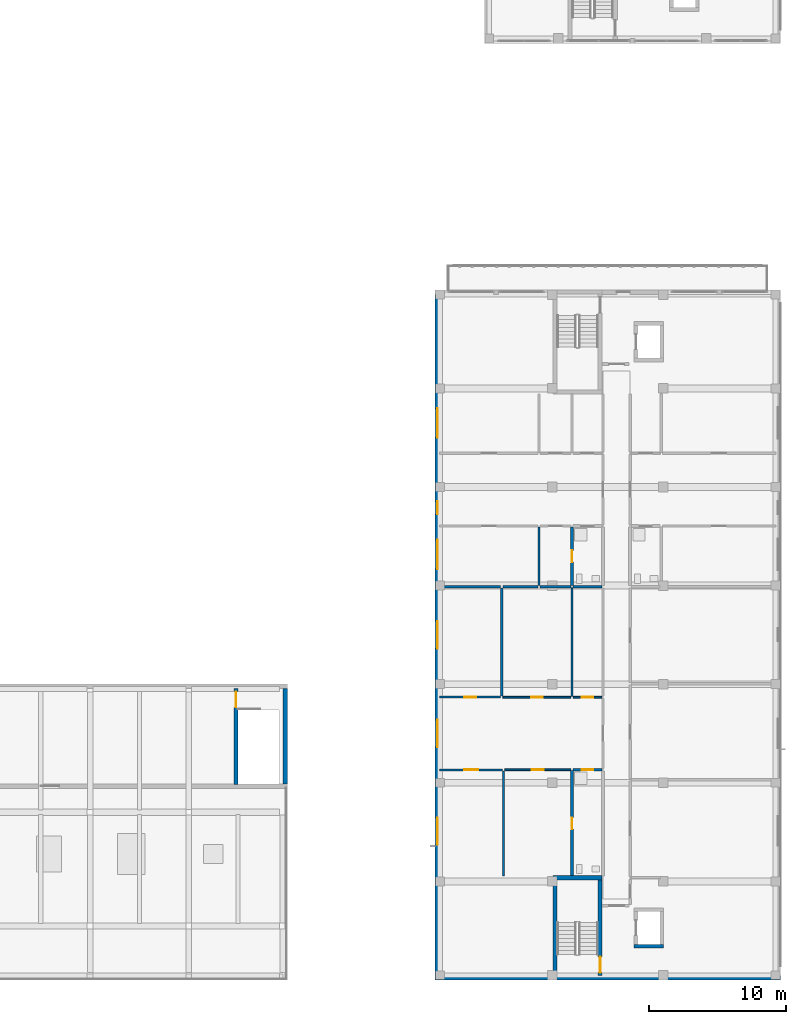
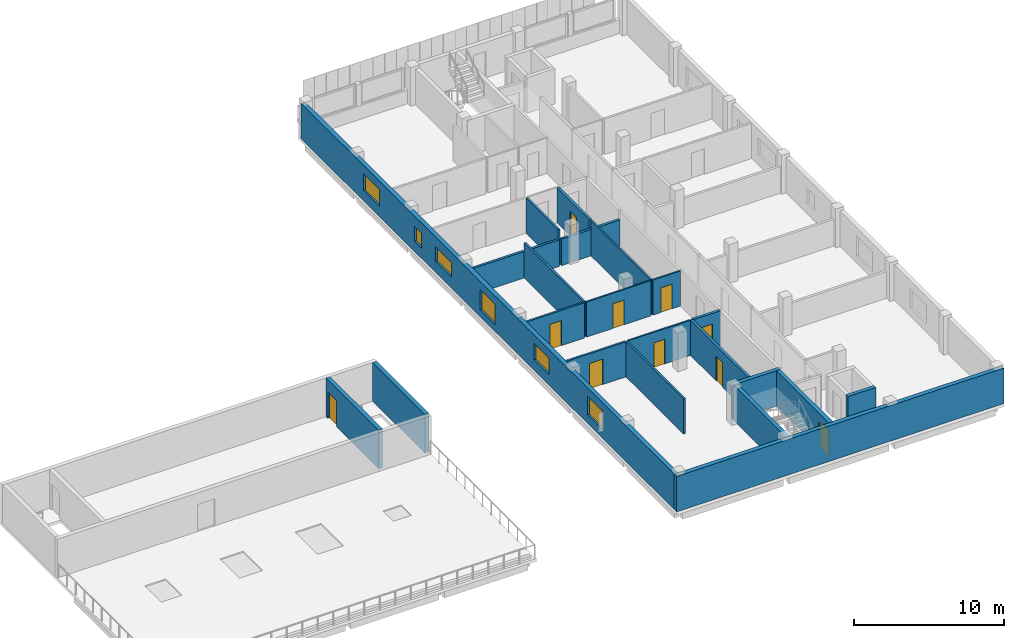
# One storey, part 33 of 56: 24 walls, 10 doors, 6 windows, 16 openings.
"""IFC4 building model written with IfcOpenShell, lengths in metres."""

import ifcopenshell
import ifcopenshell.guid

model = None  # the IFC model being written
_history = None  # IfcOwnerHistory: only IFC2X3 demands one
_inside = {}  # id of a spatial element -> (the spatial element, [elements in it])
_under = {}  # id of a project, library or spatial element -> (it, [spatial elements below it])
_declared = {}  # id of a project -> (the project, [libraries it declares])
_typed = {}  # id of a type object -> (the type object, [elements of that type])
_made_of = {}  # id of a material, layer set ... -> (it, [elements and type objects made of it])


def new_model(schema):
    """Start an empty IFC model of exactly this schema.

    Asked for "IFC4X3", IfcOpenShell would pick the latest addendum, in which some entities
    have other attributes; the version numbers below select the first issue.
    IFC2X3 requires an IfcOwnerHistory on every rooted entity: one is made here for all.
    """
    global model, _history
    if schema == "IFC4X3":
        model = ifcopenshell.file(schema_version=(4, 3, 0, 0))
    else:
        model = ifcopenshell.file(schema=schema)
    _inside.clear()
    _under.clear()
    _declared.clear()
    _typed.clear()
    _made_of.clear()
    _history = None
    if model.schema == "IFC2X3":
        org = make("IfcOrganization", Name="unknown")
        user = make(
            "IfcPersonAndOrganization",
            ThePerson=make("IfcPerson", FamilyName="unknown"),
            TheOrganization=org,
        )
        app = make(
            "IfcApplication",
            ApplicationDeveloper=org,
            Version="unknown",
            ApplicationFullName="unknown",
            ApplicationIdentifier="unknown",
        )
        _history = make(
            "IfcOwnerHistory",
            OwningUser=user,
            OwningApplication=app,
            ChangeAction="ADDED",
            CreationDate=0,
        )
    return model


def make(cls, **values):
    """One entity of the class cls with the attributes given. An attribute that is None is left unset."""
    return model.create_entity(
        cls, **{name: value for name, value in values.items() if value is not None}
    )


def rooted(cls, **values):
    """An entity with a GlobalId (a new one), such as an element, a storey or a relation."""
    return make(cls, GlobalId=ifcopenshell.guid.new(), OwnerHistory=_history, **values)


def si_unit(unit_type, name, prefix=None):
    """IfcSIUnit, for example si_unit("LENGTHUNIT", "METRE", prefix="MILLI")."""
    return make("IfcSIUnit", UnitType=unit_type, Prefix=prefix, Name=name)


def derived_unit(unit_type, elements):
    """IfcDerivedUnit: a product of units, each with its exponent."""
    return make(
        "IfcDerivedUnit",
        Elements=[
            make("IfcDerivedUnitElement", Unit=unit, Exponent=power)
            for unit, power in elements
        ],
        UnitType=unit_type,
    )


def assignment(units):
    """IfcUnitAssignment: the units of a project."""
    return None if units is None else make("IfcUnitAssignment", Units=units)


def point(xyz):
    """IfcCartesianPoint."""
    return None if xyz is None else make("IfcCartesianPoint", Coordinates=xyz)


def direction(xyz):
    """IfcDirection."""
    return None if xyz is None else make("IfcDirection", DirectionRatios=xyz)


def frame(location, z_axis=None, x_axis=None):
    """IfcAxis2Placement3D, a coordinate frame: its origin and axes. An axis left out is left unset."""
    return make(
        "IfcAxis2Placement3D",
        Location=point(location),
        Axis=direction(z_axis),
        RefDirection=direction(x_axis),
    )


def frame_2d(location, x_axis=None):
    """IfcAxis2Placement2D, a coordinate frame in the plane: its origin and x axis."""
    return make(
        "IfcAxis2Placement2D", Location=point(location), RefDirection=direction(x_axis)
    )


def origin():
    """The frame at (0, 0, 0) with its axes left unset."""
    return frame((0.0, 0.0, 0.0))


def place(relative_to, where):
    """IfcLocalPlacement: puts the frame where relative to a parent placement (None: the world)."""
    return make(
        "IfcLocalPlacement", PlacementRelTo=relative_to, RelativePlacement=where
    )


def context(
    kind, dimensions, precision=None, world=None, true_north=None, identifier=None
):
    """IfcGeometricRepresentationContext, for example the 3D "Model" context."""
    return make(
        "IfcGeometricRepresentationContext",
        ContextIdentifier=identifier,
        ContextType=kind,
        CoordinateSpaceDimension=dimensions,
        Precision=precision,
        WorldCoordinateSystem=world,
        TrueNorth=true_north,
    )


def subcontext(parent, identifier, kind, view, scale=None):
    """IfcGeometricRepresentationSubContext, for example "Body" below "Model"."""
    return make(
        "IfcGeometricRepresentationSubContext",
        ContextIdentifier=identifier,
        ContextType=kind,
        ParentContext=parent,
        TargetScale=scale,
        TargetView=view,
    )


def project(units=None, contexts=None):
    """IfcProject with its units and contexts."""
    return rooted(
        "IfcProject",
        Name="project",
        RepresentationContexts=contexts,
        UnitsInContext=assignment(units),
    )


def spatial(cls, under=None, at=None, **own):
    """A site, building, storey or space (cls), placed at a placement, below another one or the project."""
    s = rooted(cls, ObjectPlacement=at, **own)
    if under is not None:
        _under.setdefault(under.id(), (under, []))[1].append(s)
    return s


def profile(cls, at=None, kind="AREA", **sizes):
    """A parametric profile (cls). Its sizes go by their IFC names, for example OverallWidth=200.0."""
    return make(cls, ProfileType=kind, Position=at, **sizes)


def rectangle(**sizes):
    """IfcRectangleProfileDef."""
    return profile("IfcRectangleProfileDef", **sizes)


def extrude(swept, where, along, depth):
    """IfcExtrudedAreaSolid: the profile swept, set in the frame where, extruded along a direction by depth."""
    return make(
        "IfcExtrudedAreaSolid",
        SweptArea=swept,
        Position=where,
        ExtrudedDirection=direction(along),
        Depth=depth,
    )


def shape(context_of_items, identifier, shape_type, items):
    """IfcShapeRepresentation: the items that make up one representation, for example the "Body"."""
    return make(
        "IfcShapeRepresentation",
        ContextOfItems=context_of_items,
        RepresentationIdentifier=identifier,
        RepresentationType=shape_type,
        Items=items,
    )


def material(Name=None, Category=None):
    """IfcMaterial."""
    return make("IfcMaterial", Name=Name, Category=Category)


def layer(
    of_material, thickness, ventilated=None, Name=None, Category=None, Priority=None
):
    """IfcMaterialLayer: one layer of a wall or slab, of a material (None: an air gap)."""
    return make(
        "IfcMaterialLayer",
        Material=of_material,
        LayerThickness=thickness,
        IsVentilated=ventilated,
        Name=Name,
        Category=Category,
        Priority=Priority,
    )


def layer_set(layers, Name=None):
    """IfcMaterialLayerSet."""
    return make("IfcMaterialLayerSet", MaterialLayers=layers, LayerSetName=Name)


def made_of(thing, what):
    """Note that an element or type object is made of a material, layer set ...; save() writes the relation."""
    if what is not None:
        _made_of.setdefault(what.id(), (what, []))[1].append(thing)
    return thing


def type_object(cls, material=None, **own):
    """A type object (cls), such as IfcWallType, which elements share."""
    return made_of(rooted(cls, **own), material)


def element(
    cls,
    number,
    at=None,
    inside=None,
    cuts=None,
    type_object=None,
    material=None,
    context=None,
    identifier="Body",
    shape_type=None,
    held_by="IfcProductDefinitionShape",
    body=None,
    shapes=None,
    **own,
):
    """One element of the class cls, such as IfcWall. Its Tag is "e" and its number.

    at: its placement. inside: the storey or other place that contains it. cuts: it is an
    opening in that element (IfcRelVoidsElement). A single representation is given by context,
    identifier, shape_type and body (its items); several are given by shapes. held_by: the class
    of the entity that holds the representations. save() writes the other relations.
    """
    e = rooted(cls, Tag="e%d" % number, ObjectPlacement=at, **own)
    if body is not None:
        shapes = [shape(context, identifier, shape_type, body)]
    if shapes is not None:
        e.Representation = make(held_by, Representations=shapes)
    if inside is not None:
        _inside.setdefault(inside.id(), (inside, []))[1].append(e)
    if cuts is not None:
        rooted(
            "IfcRelVoidsElement", RelatingBuildingElement=cuts, RelatedOpeningElement=e
        )
    if type_object is not None:
        _typed.setdefault(type_object.id(), (type_object, []))[1].append(e)
    return made_of(e, material)


def fill(opening, filler):
    """IfcRelFillsElement: the door or window that sits in an opening."""
    return rooted(
        "IfcRelFillsElement",
        RelatingOpeningElement=opening,
        RelatedBuildingElement=filler,
    )


def aggregate(whole, parts):
    """IfcRelAggregates: a whole, such as a stair, and the parts it consists of."""
    return rooted("IfcRelAggregates", RelatingObject=whole, RelatedObjects=parts)


def save(model, path):
    """Write the relations noted so far, then the file.

    IfcRelAggregates (storeys below a building ...), IfcRelContainedInSpatialStructure (elements
    in a storey), IfcRelDefinesByType, IfcRelAssociatesMaterial and IfcRelDeclares: one each for
    every whole, place, type object, material and project.
    """
    for whole, parts in _under.values():
        aggregate(whole, parts)
    for where, things in _inside.values():
        rooted(
            "IfcRelContainedInSpatialStructure",
            RelatedElements=things,
            RelatingStructure=where,
        )
    for kind, things in _typed.values():
        rooted("IfcRelDefinesByType", RelatedObjects=things, RelatingType=kind)
    for what, things in _made_of.values():
        rooted("IfcRelAssociatesMaterial", RelatedObjects=things, RelatingMaterial=what)
    for by, libraries in _declared.values():
        rooted("IfcRelDeclares", RelatingContext=by, RelatedDefinitions=libraries)
    model.write(path)


model = new_model("IFC4")

# Units and contexts
model_context = context("Model", 3, precision=1e-05, world=origin(), true_north=direction((0.0, 1.0)))
body_context = subcontext(model_context, "Body", "Model", "MODEL_VIEW")
ifc_project = project(units=[si_unit("LENGTHUNIT", "METRE"), si_unit("AREAUNIT", "SQUARE_METRE"), si_unit("VOLUMEUNIT", "CUBIC_METRE"), si_unit("PLANEANGLEUNIT", "RADIAN"), si_unit("MASSUNIT", "GRAM", prefix="KILO"), derived_unit("THERMALTRANSMITTANCEUNIT", [(si_unit("MASSUNIT", "GRAM", prefix="KILO"), 1), (si_unit("TIMEUNIT", "SECOND"), -3), (si_unit("THERMODYNAMICTEMPERATUREUNIT", "KELVIN"), -1)])], contexts=[model_context])

# Site, building, storey
site_placement = place(None, origin())
site = spatial("IfcSite", under=ifc_project, at=site_placement, CompositionType="ELEMENT")
building_placement = place(site_placement, origin())
building = spatial("IfcBuilding", under=site, at=building_placement, Name="Ochrekiln Boulevard Commons", CompositionType="ELEMENT")
storey_placement = place(building_placement, frame((0.0, 0.0, 12.074951171875)))
storey = spatial("IfcBuildingStorey", under=building, at=storey_placement, Name="L03", CompositionType="ELEMENT", Elevation=12.074951171875)

# Walls
ifc_material_1 = material(Name="Desert ochre clinker brick masonry ASTM C216 Grade SW", Category="masonry")
ifc_layer_1 = layer(ifc_material_1, 0.320068359375)
ifc_layer_set_1 = layer_set([ifc_layer_1], Name="Desert ochre clinker brick masonry ASTM C216 Grade SW")
wall_type_1 = type_object("IfcWallType", Name="WL-EXT-OCHRE-320", PredefinedType="SOLIDWALL", material=ifc_layer_set_1)
wall_1_placement = place(storey_placement, frame((136.639892578125, 14.320068359375, 0.0), z_axis=(0.0, 0.0, 1.0), x_axis=(0.0, 1.0, 0.0)))
element("IfcWall", 1, at=wall_1_placement, inside=storey, type_object=wall_type_1, Name="East Boulevard Arcade L03 Roof Pavilion E Exterior Wall", PredefinedType="SOLIDWALL", context=body_context, shape_type="SweptSolid", body=[
    extrude(rectangle(XDim=6.9599609375, YDim=0.320068359375, at=frame_2d((3.47998046875, 0.0))), origin(), (0.0, 0.0, 1.0), 3.150146484375),
])
ifc_layer_2 = layer(ifc_material_1, 0.330078125)
ifc_layer_set_2 = layer_set([ifc_layer_2], Name="Desert ochre clinker brick masonry ASTM C216 Grade SW")
wall_type_2 = type_object("IfcWallType", Name="WL-EXT-OCHRE-330", PredefinedType="SOLIDWALL", material=ifc_layer_set_2)
wall_2_placement = place(storey_placement, frame((147.60009765625, 0.1650390625, 0.0), z_axis=(0.0, 0.0, 1.0), x_axis=(1.0, 0.0, 0.0)))
element("IfcWall", 2, at=wall_2_placement, inside=storey, type_object=wall_type_2, Name="Block C L03 S Exterior Wall", PredefinedType="SOLIDWALL", context=body_context, shape_type="SweptSolid", body=[
    extrude(rectangle(XDim=25.199951171875, YDim=0.330078125, at=frame_2d((12.60009765625, 0.0))), origin(), (0.0, 0.0, 1.0), 2.89013671875),
])

# Wall, openings, windows
wall_3_placement = place(storey_placement, frame((147.764892578125, 0.330078125, 0.0), z_axis=(0.0, 0.0, 1.0), x_axis=(0.0, 1.0, 0.0)))
wall_3 = element("IfcWall", 3, at=wall_3_placement, inside=storey, type_object=wall_type_2, Name="Block C L03 W Exterior Wall", PredefinedType="SOLIDWALL", context=body_context, shape_type="SweptSolid", body=[
    extrude(rectangle(XDim=49.739990234375, YDim=0.330078125, at=frame_2d((24.8701171875, 0.0))), origin(), (0.0, 0.0, 1.0), 2.89013671875),
])
opening_1_placement = place(wall_3_placement, frame((16.669921875, 0.0, 0.85498046875)))
opening_1 = element("IfcOpeningElement", 4, at=opening_1_placement, cuts=wall_3, Name="Opening W-47", PredefinedType="OPENING", context=body_context, shape_type="SweptSolid", body=[
    extrude(rectangle(XDim=2.0, YDim=1.35009765625, at=frame_2d((1.0, 0.675048828125))), frame((0.0, 0.175048828125, 0.0), z_axis=(0.0, -1.0, 0.0), x_axis=(1.0, 0.0, 0.0)), (0.0, 0.0, 1.0), 0.35009765625),
])
opening_2_placement = place(wall_3_placement, frame((9.534912109375, 0.0, 0.705078125)))
opening_2 = element("IfcOpeningElement", 5, at=opening_2_placement, cuts=wall_3, Name="Opening W-48", PredefinedType="OPENING", context=body_context, shape_type="SweptSolid", body=[
    extrude(rectangle(XDim=2.0, YDim=1.5, at=frame_2d((1.0, 0.75))), frame((0.0, 0.175048828125, 0.0), z_axis=(0.0, -1.0, 0.0), x_axis=(1.0, 0.0, 0.0)), (0.0, 0.0, 1.0), 0.35009765625),
])
opening_3_placement = place(wall_3_placement, frame((23.8701171875, 0.0, 0.554931640625)))
opening_3 = element("IfcOpeningElement", 6, at=opening_3_placement, cuts=wall_3, Name="Opening W-49", PredefinedType="OPENING", context=body_context, shape_type="SweptSolid", body=[
    extrude(rectangle(XDim=2.0, YDim=1.64990234375, at=frame_2d((1.0, 0.824951171875))), frame((0.0, 0.175048828125, 0.0), z_axis=(0.0, -1.0, 0.0), x_axis=(1.0, 0.0, 0.0)), (0.0, 0.0, 1.0), 0.35009765625),
])
opening_4_placement = place(wall_3_placement, frame((33.673095703125, 0.0, 0.85009765625)))
opening_4 = element("IfcOpeningElement", 7, at=opening_4_placement, cuts=wall_3, Name="Opening W-01", PredefinedType="OPENING", context=body_context, shape_type="SweptSolid", body=[
    extrude(rectangle(XDim=0.949951171875, YDim=1.199951171875, at=frame_2d((0.47509765625, 0.60009765625))), frame((0.0, 0.175048828125, 0.0), z_axis=(0.0, -1.0, 0.0), x_axis=(1.0, 0.0, 0.0)), (0.0, 0.0, 1.0), 0.35009765625),
])
opening_5_placement = place(wall_3_placement, frame((29.6640625, 0.0, 0.89990234375)))
opening_5 = element("IfcOpeningElement", 8, at=opening_5_placement, cuts=wall_3, Name="Opening W-51", PredefinedType="OPENING", context=body_context, shape_type="SweptSolid", body=[
    extrude(rectangle(XDim=2.14990234375, YDim=1.199951171875, at=frame_2d((1.074951171875, 0.60009765625))), frame((0.0, 0.175048828125, 0.0), z_axis=(0.0, -1.0, 0.0), x_axis=(1.0, 0.0, 0.0)), (0.0, 0.0, 1.0), 0.35009765625),
])
opening_6_placement = place(wall_3_placement, frame((39.26611328125, 0.0, 0.85498046875)))
opening_6 = element("IfcOpeningElement", 9, at=opening_6_placement, cuts=wall_3, Name="Opening W-52", PredefinedType="OPENING", context=body_context, shape_type="SweptSolid", body=[
    extrude(rectangle(XDim=2.14990234375, YDim=1.35009765625, at=frame_2d((1.074951171875, 0.675048828125))), frame((0.0, 0.175048828125, 0.0), z_axis=(0.0, -1.0, 0.0), x_axis=(1.0, 0.0, 0.0)), (0.0, 0.0, 1.0), 0.35009765625),
])
ifc_material_2 = material(Name="Thermally broken aluminium-clad oak frame", Category="aluminium")
window_type_1 = type_object("IfcWindowType", Name="WIN-EXT-01", PartitioningType="SINGLE_PANEL", PredefinedType="WINDOW", material=ifc_material_2)
window_1_placement = place(opening_4_placement, origin())
window_1 = element("IfcWindow", 10, at=window_1_placement, inside=storey, type_object=window_type_1, Name="Block C L03 Punched Masonry Window W-01", OverallHeight=1.199951171875, OverallWidth=0.949951171875, PartitioningType="SINGLE_PANEL", PredefinedType="WINDOW", context=body_context, shape_type="SweptSolid", body=[
    extrude(rectangle(XDim=0.949951171875, YDim=1.199951171875, at=frame_2d((0.47509765625, 0.60009765625))), frame((0.0, 0.030029296875, 0.0), z_axis=(0.0, -1.0, 0.0), x_axis=(1.0, 0.0, 0.0)), (0.0, 0.0, 1.0), 0.06005859375),
])
fill(opening_4, window_1)
window_type_2 = type_object("IfcWindowType", Name="WIN-EXT-47", PartitioningType="DOUBLE_PANEL_VERTICAL", PredefinedType="WINDOW", material=ifc_material_2)
window_2_placement = place(opening_1_placement, origin())
window_2 = element("IfcWindow", 11, at=window_2_placement, inside=storey, type_object=window_type_2, Name="Block C L03 Punched Masonry Window W-47", OverallHeight=1.35009765625, OverallWidth=2.0, PartitioningType="DOUBLE_PANEL_VERTICAL", PredefinedType="WINDOW", context=body_context, shape_type="SweptSolid", body=[
    extrude(rectangle(XDim=2.0, YDim=1.35009765625, at=frame_2d((1.0, 0.675048828125))), frame((0.0, 0.030029296875, 0.0), z_axis=(0.0, -1.0, 0.0), x_axis=(1.0, 0.0, 0.0)), (0.0, 0.0, 1.0), 0.06005859375),
])
fill(opening_1, window_2)
window_type_3 = type_object("IfcWindowType", Name="WIN-EXT-48", PartitioningType="DOUBLE_PANEL_VERTICAL", PredefinedType="WINDOW", material=ifc_material_2)
window_3_placement = place(opening_2_placement, origin())
window_3 = element("IfcWindow", 12, at=window_3_placement, inside=storey, type_object=window_type_3, Name="Block C L03 Punched Masonry Window W-48", OverallHeight=1.5, OverallWidth=2.0, PartitioningType="DOUBLE_PANEL_VERTICAL", PredefinedType="WINDOW", context=body_context, shape_type="SweptSolid", body=[
    extrude(rectangle(XDim=2.0, YDim=1.5, at=frame_2d((1.0, 0.75))), frame((0.0, 0.030029296875, 0.0), z_axis=(0.0, -1.0, 0.0), x_axis=(1.0, 0.0, 0.0)), (0.0, 0.0, 1.0), 0.06005859375),
])
fill(opening_2, window_3)
window_type_4 = type_object("IfcWindowType", Name="WIN-EXT-49", PartitioningType="DOUBLE_PANEL_VERTICAL", PredefinedType="WINDOW", material=ifc_material_2)
window_4_placement = place(opening_3_placement, origin())
window_4 = element("IfcWindow", 13, at=window_4_placement, inside=storey, type_object=window_type_4, Name="Block C L03 Punched Masonry Window W-49", OverallHeight=1.64990234375, OverallWidth=2.0, PartitioningType="DOUBLE_PANEL_VERTICAL", PredefinedType="WINDOW", context=body_context, shape_type="SweptSolid", body=[
    extrude(rectangle(XDim=2.0, YDim=1.64990234375, at=frame_2d((1.0, 0.824951171875))), frame((0.0, 0.030029296875, 0.0), z_axis=(0.0, -1.0, 0.0), x_axis=(1.0, 0.0, 0.0)), (0.0, 0.0, 1.0), 0.06005859375),
])
fill(opening_3, window_4)
window_type_5 = type_object("IfcWindowType", Name="WIN-EXT-51", PartitioningType="DOUBLE_PANEL_VERTICAL", PredefinedType="WINDOW", material=ifc_material_2)
window_5_placement = place(opening_5_placement, origin())
window_5 = element("IfcWindow", 14, at=window_5_placement, inside=storey, type_object=window_type_5, Name="Block C L03 Punched Masonry Window W-51", OverallHeight=1.199951171875, OverallWidth=2.14990234375, PartitioningType="DOUBLE_PANEL_VERTICAL", PredefinedType="WINDOW", context=body_context, shape_type="SweptSolid", body=[
    extrude(rectangle(XDim=2.14990234375, YDim=1.199951171875, at=frame_2d((1.074951171875, 0.60009765625))), frame((0.0, 0.030029296875, 0.0), z_axis=(0.0, -1.0, 0.0), x_axis=(1.0, 0.0, 0.0)), (0.0, 0.0, 1.0), 0.06005859375),
])
fill(opening_5, window_5)
window_type_6 = type_object("IfcWindowType", Name="WIN-EXT-52", PartitioningType="DOUBLE_PANEL_VERTICAL", PredefinedType="WINDOW", material=ifc_material_2)
window_6_placement = place(opening_6_placement, origin())
window_6 = element("IfcWindow", 15, at=window_6_placement, inside=storey, type_object=window_type_6, Name="Block C L03 Punched Masonry Window W-52", OverallHeight=1.35009765625, OverallWidth=2.14990234375, PartitioningType="DOUBLE_PANEL_VERTICAL", PredefinedType="WINDOW", context=body_context, shape_type="SweptSolid", body=[
    extrude(rectangle(XDim=2.14990234375, YDim=1.35009765625, at=frame_2d((1.074951171875, 0.675048828125))), frame((0.0, 0.030029296875, 0.0), z_axis=(0.0, -1.0, 0.0), x_axis=(1.0, 0.0, 0.0)), (0.0, 0.0, 1.0), 0.06005859375),
])
fill(opening_6, window_6)

# Wall, opening, door
ifc_material_3 = material(Name="Moisture-resistant cementitious tile backer wall")
ifc_layer_3 = layer(ifc_material_3, 0.199951171875)
ifc_layer_set_3 = layer_set([ifc_layer_3], Name="Moisture-resistant cementitious tile backer wall")
wall_type_3 = type_object("IfcWallType", Name="WL-PLM-200", PredefinedType="PLUMBINGWALL", material=ifc_layer_set_3)
wall_4_placement = place(storey_placement, frame((157.669921875, 15.35009765625, 0.0), z_axis=(0.0, 0.0, 1.0), x_axis=(1.0, 0.0, 0.0)))
wall_4 = element("IfcWall", 16, at=wall_4_placement, inside=storey, type_object=wall_type_3, Name="L03 Interior Wall W-PW200", PredefinedType="PLUMBINGWALL", context=body_context, shape_type="SweptSolid", body=[
    extrude(rectangle(XDim=2.108154296875, YDim=0.199951171875, at=frame_2d((1.05419921875, 0.0))), origin(), (0.0, 0.0, 1.0), 2.8701171875),
])
opening_7_placement = place(wall_4_placement, frame((0.6201171875, 0.0, 0.0)))
opening_7 = element("IfcOpeningElement", 17, at=opening_7_placement, cuts=wall_4, Name="Opening D-L03-511", PredefinedType="OPENING", context=body_context, shape_type="SweptSolid", body=[
    extrude(rectangle(XDim=0.860107421875, YDim=2.0, at=frame_2d((0.43017578125, 1.0))), frame((0.0, 0.10986328125, 0.0), z_axis=(0.0, -1.0, 0.0), x_axis=(1.0, 0.0, 0.0)), (0.0, 0.0, 1.0), 0.219970703125),
])
ifc_material_4 = material(Name="Solid core architectural oak door leaf")
door_type_1 = type_object("IfcDoorType", Name="DR-INT-BTH-086", OperationType="NOTDEFINED", PredefinedType="DOOR", material=ifc_material_4)
door_1_placement = place(opening_7_placement, frame((0.860107421875, 0.0, 0.0), z_axis=(0.0, 0.0, 1.0), x_axis=(-1.0, 0.0, 0.0)))
door_1 = element("IfcDoor", 18, at=door_1_placement, inside=storey, type_object=door_type_1, Name="L03 Interior Door to Accessible Apartment Bathroom", OperationType="SINGLE_SWING_LEFT", OverallHeight=2.0, OverallWidth=0.860107421875, PredefinedType="DOOR", context=body_context, shape_type="SweptSolid", body=[
    extrude(rectangle(XDim=0.860107421875, YDim=2.0, at=frame_2d((0.43017578125, 1.0))), frame((0.0, 0.02490234375, 0.0), z_axis=(0.0, -1.0, 0.0), x_axis=(1.0, 0.0, 0.0)), (0.0, 0.0, 1.0), 0.050048828125),
])
fill(opening_7, door_1)

wall_5_placement = place(storey_placement, frame((157.590087890625, 7.60009765625, 0.0), z_axis=(0.0, 0.0, 1.0), x_axis=(0.0, 1.0, 0.0)))
wall_5 = element("IfcWall", 19, at=wall_5_placement, inside=storey, type_object=wall_type_3, Name="L03 Interior Wall W-PW200", PredefinedType="PLUMBINGWALL", context=body_context, shape_type="SweptSolid", body=[
    extrude(rectangle(XDim=7.68994140625, YDim=0.199951171875, at=frame_2d((3.844970703125, 0.0))), origin(), (0.0, 0.0, 1.0), 2.8701171875),
])
opening_8_placement = place(wall_5_placement, frame((3.409912109375, 0.0, 0.0)))
opening_8 = element("IfcOpeningElement", 20, at=opening_8_placement, cuts=wall_5, Name="Opening D-L03-517", PredefinedType="OPENING", context=body_context, shape_type="SweptSolid", body=[
    extrude(rectangle(XDim=0.85009765625, YDim=2.010009765625, at=frame_2d((0.425048828125, 1.0048828125))), frame((0.0, 0.10986328125, 0.0), z_axis=(0.0, -1.0, 0.0), x_axis=(1.0, 0.0, 0.0)), (0.0, 0.0, 1.0), 0.219970703125),
])
door_type_2 = type_object("IfcDoorType", Name="DR-INT-KIT-085", OperationType="NOTDEFINED", PredefinedType="DOOR", material=ifc_material_4)
door_2_placement = place(opening_8_placement, frame((0.85009765625, 0.0, 0.0), z_axis=(0.0, 0.0, 1.0), x_axis=(-1.0, 0.0, 0.0)))
door_2 = element("IfcDoor", 21, at=door_2_placement, inside=storey, type_object=door_type_2, Name="L03 Interior Door to Accessible Apartment Bathroom", OperationType="SINGLE_SWING_LEFT", OverallHeight=2.010009765625, OverallWidth=0.85009765625, PredefinedType="DOOR", context=body_context, shape_type="SweptSolid", body=[
    extrude(rectangle(XDim=0.85009765625, YDim=2.010009765625, at=frame_2d((0.425048828125, 1.0048828125))), frame((0.0, 0.02490234375, 0.0), z_axis=(0.0, -1.0, 0.0), x_axis=(1.0, 0.0, 0.0)), (0.0, 0.0, 1.0), 0.050048828125),
])
fill(opening_8, door_2)

# Wall
wall_6_placement = place(storey_placement, frame((157.64990234375, 28.719970703125, 0.0), z_axis=(0.0, 0.0, 1.0), x_axis=(1.0, 0.0, 0.0)))
element("IfcWall", 22, at=wall_6_placement, inside=storey, type_object=wall_type_3, Name="L03 Interior Wall W-PW200", PredefinedType="PLUMBINGWALL", context=body_context, shape_type="SweptSolid", body=[
    extrude(rectangle(XDim=2.128173828125, YDim=0.199951171875, at=frame_2d((1.06396484375, 0.0))), origin(), (0.0, 0.0, 1.0), 2.16015625),
])

# Wall, opening, door
wall_7_placement = place(storey_placement, frame((157.590087890625, 28.81005859375, 0.0), z_axis=(0.0, 0.0, 1.0), x_axis=(0.0, 1.0, 0.0)))
wall_7 = element("IfcWall", 23, at=wall_7_placement, inside=storey, type_object=wall_type_3, Name="L03 Interior Wall W-PW200", PredefinedType="PLUMBINGWALL", context=body_context, shape_type="SweptSolid", body=[
    extrude(rectangle(XDim=4.27685546875, YDim=0.199951171875, at=frame_2d((2.138427734375, 0.0))), origin(), (0.0, 0.0, 1.0), 2.8701171875),
])
opening_9_placement = place(wall_7_placement, frame((1.702880859375, 0.0, 0.0)))
opening_9 = element("IfcOpeningElement", 24, at=opening_9_placement, cuts=wall_7, Name="Opening D-L03-524", PredefinedType="OPENING", context=body_context, shape_type="SweptSolid", body=[
    extrude(rectangle(XDim=0.85009765625, YDim=2.010009765625, at=frame_2d((0.425048828125, 1.0048828125))), frame((0.0, 0.10986328125, 0.0), z_axis=(0.0, -1.0, 0.0), x_axis=(1.0, 0.0, 0.0)), (0.0, 0.0, 1.0), 0.219970703125),
])
door_3_placement = place(opening_9_placement, frame((0.85009765625, 0.0, 0.0), z_axis=(0.0, 0.0, 1.0), x_axis=(-1.0, 0.0, 0.0)))
door_3 = element("IfcDoor", 25, at=door_3_placement, inside=storey, type_object=door_type_2, Name="L03 Interior Door to Apartment Bathroom", OperationType="SINGLE_SWING_RIGHT", OverallHeight=2.010009765625, OverallWidth=0.85009765625, PredefinedType="DOOR", context=body_context, shape_type="SweptSolid", body=[
    extrude(rectangle(XDim=0.85009765625, YDim=2.010009765625, at=frame_2d((0.425048828125, 1.0048828125))), frame((0.0, 0.02490234375, 0.0), z_axis=(0.0, -1.0, 0.0), x_axis=(1.0, 0.0, 0.0)), (0.0, 0.0, 1.0), 0.050048828125),
])
fill(opening_9, door_3)

# Walls
ifc_material_5 = material(Name="Fire-rated Type X gypsum board on steel studs", Category="steel")
ifc_layer_4 = layer(ifc_material_5, 0.179931640625)
ifc_layer_set_4 = layer_set([ifc_layer_4], Name="Fire-rated Type X gypsum board on steel studs")
wall_type_4 = type_object("IfcWallType", Name="WL-PT-DEM-180", PredefinedType="PARTITIONING", material=ifc_layer_set_4)
wall_8_placement = place(storey_placement, frame((147.929931640625, 28.719970703125, 0.0), z_axis=(0.0, 0.0, 1.0), x_axis=(1.0, 0.0, 0.0)))
element("IfcWall", 26, at=wall_8_placement, inside=storey, type_object=wall_type_4, Name="L03 Interior Wall W-PD180", PredefinedType="PARTITIONING", context=body_context, shape_type="SweptSolid", body=[
    extrude(rectangle(XDim=4.455078125, YDim=0.179931640625, at=frame_2d((2.2275390625, 0.0))), origin(), (0.0, 0.0, 1.0), 2.16015625),
])
wall_9_placement = place(storey_placement, frame((152.5400390625, 28.719970703125, 0.0), z_axis=(0.0, 0.0, 1.0), x_axis=(1.0, 0.0, 0.0)))
element("IfcWall", 27, at=wall_9_placement, inside=storey, type_object=wall_type_4, Name="L03 Interior Wall W-PD180", PredefinedType="PARTITIONING", context=body_context, shape_type="SweptSolid", body=[
    extrude(rectangle(XDim=2.56005859375, YDim=0.179931640625, at=frame_2d((1.280029296875, 0.0))), origin(), (0.0, 0.0, 1.0), 2.16015625),
])
wall_10_placement = place(storey_placement, frame((155.260009765625, 28.719970703125, 0.0), z_axis=(0.0, 0.0, 1.0), x_axis=(1.0, 0.0, 0.0)))
element("IfcWall", 28, at=wall_10_placement, inside=storey, type_object=wall_type_4, Name="L03 Interior Wall W-PD180", PredefinedType="PARTITIONING", context=body_context, shape_type="SweptSolid", body=[
    extrude(rectangle(XDim=2.27001953125, YDim=0.179931640625, at=frame_2d((1.135009765625, 0.0))), origin(), (0.0, 0.0, 1.0), 2.16015625),
])

# Wall, opening, door
ifc_layer_5 = layer(ifc_material_5, 0.1201171875)
ifc_layer_set_5 = layer_set([ifc_layer_5], Name="Fire-rated Type X gypsum board on steel studs")
wall_type_5 = type_object("IfcWallType", Name="WL-PT-LGT-120", PredefinedType="PARTITIONING", material=ifc_layer_set_5)
wall_11_placement = place(storey_placement, frame((157.669921875, 20.64990234375, 0.0), z_axis=(0.0, 0.0, 1.0), x_axis=(1.0, 0.0, 0.0)))
wall_11 = element("IfcWall", 29, at=wall_11_placement, inside=storey, type_object=wall_type_5, Name="L03 Interior Wall W-PL120", PredefinedType="PARTITIONING", context=body_context, shape_type="SweptSolid", body=[
    extrude(rectangle(XDim=2.108154296875, YDim=0.1201171875, at=frame_2d((1.05419921875, 0.0))), origin(), (0.0, 0.0, 1.0), 2.8701171875),
])
opening_10_placement = place(wall_11_placement, frame((0.625, 0.0, 0.0)))
opening_10 = element("IfcOpeningElement", 30, at=opening_10_placement, cuts=wall_11, Name="Opening D-L03-512", PredefinedType="OPENING", context=body_context, shape_type="SweptSolid", body=[
    extrude(rectangle(XDim=0.85009765625, YDim=2.010009765625, at=frame_2d((0.425048828125, 1.0048828125))), frame((0.0, 0.070068359375, 0.0), z_axis=(0.0, -1.0, 0.0), x_axis=(1.0, 0.0, 0.0)), (0.0, 0.0, 1.0), 0.14013671875),
])
door_4_placement = place(opening_10_placement, origin())
door_4 = element("IfcDoor", 31, at=door_4_placement, inside=storey, type_object=door_type_2, Name="L03 Interior Door to Apartment Kitchen", OperationType="SINGLE_SWING_RIGHT", OverallHeight=2.010009765625, OverallWidth=0.85009765625, PredefinedType="DOOR", context=body_context, shape_type="SweptSolid", body=[
    extrude(rectangle(XDim=0.85009765625, YDim=2.010009765625, at=frame_2d((0.425048828125, 1.0048828125))), frame((0.0, 0.02490234375, 0.0), z_axis=(0.0, -1.0, 0.0), x_axis=(1.0, 0.0, 0.0)), (0.0, 0.0, 1.0), 0.050048828125),
])
fill(opening_10, door_4)

wall_12_placement = place(storey_placement, frame((152.673095703125, 15.35009765625, 0.0), z_axis=(0.0, 0.0, 1.0), x_axis=(1.0, 0.0, 0.0)))
wall_12 = element("IfcWall", 32, at=wall_12_placement, inside=storey, type_object=wall_type_5, Name="L03 Interior Wall W-PL120", PredefinedType="PARTITIONING", context=body_context, shape_type="SweptSolid", body=[
    extrude(rectangle(XDim=4.8369140625, YDim=0.1201171875, at=frame_2d((2.41845703125, 0.0))), origin(), (0.0, 0.0, 1.0), 2.8701171875),
])
opening_11_placement = place(wall_12_placement, frame((1.992919921875, 0.0, 0.0)))
opening_11 = element("IfcOpeningElement", 33, at=opening_11_placement, cuts=wall_12, Name="Opening D-L03-514", PredefinedType="OPENING", context=body_context, shape_type="SweptSolid", body=[
    extrude(rectangle(XDim=0.85009765625, YDim=2.010009765625, at=frame_2d((0.425048828125, 1.0048828125))), frame((0.0, 0.070068359375, 0.0), z_axis=(0.0, -1.0, 0.0), x_axis=(1.0, 0.0, 0.0)), (0.0, 0.0, 1.0), 0.14013671875),
])
door_5_placement = place(opening_11_placement, frame((0.85009765625, 0.0, 0.0), z_axis=(0.0, 0.0, 1.0), x_axis=(-1.0, 0.0, 0.0)))
door_5 = element("IfcDoor", 34, at=door_5_placement, inside=storey, type_object=door_type_2, Name="L03 Interior Door to Apartment Walk-In Wardrobe", OperationType="SINGLE_SWING_RIGHT", OverallHeight=2.010009765625, OverallWidth=0.85009765625, PredefinedType="DOOR", context=body_context, shape_type="SweptSolid", body=[
    extrude(rectangle(XDim=0.85009765625, YDim=2.010009765625, at=frame_2d((0.425048828125, 1.0048828125))), frame((0.0, 0.02490234375, 0.0), z_axis=(0.0, -1.0, 0.0), x_axis=(1.0, 0.0, 0.0)), (0.0, 0.0, 1.0), 0.050048828125),
])
fill(opening_11, door_5)

wall_13_placement = place(storey_placement, frame((152.5400390625, 20.64990234375, 0.0), z_axis=(0.0, 0.0, 1.0), x_axis=(1.0, 0.0, 0.0)))
wall_13 = element("IfcWall", 35, at=wall_13_placement, inside=storey, type_object=wall_type_5, Name="L03 Interior Wall W-PL120", PredefinedType="PARTITIONING", context=body_context, shape_type="SweptSolid", body=[
    extrude(rectangle(XDim=4.969970703125, YDim=0.1201171875, at=frame_2d((2.48486328125, 0.0))), origin(), (0.0, 0.0, 1.0), 2.8701171875),
])
opening_12_placement = place(wall_13_placement, frame((2.06005859375, 0.0, 0.0)))
opening_12 = element("IfcOpeningElement", 36, at=opening_12_placement, cuts=wall_13, Name="Opening D-L03-516", PredefinedType="OPENING", context=body_context, shape_type="SweptSolid", body=[
    extrude(rectangle(XDim=0.85009765625, YDim=2.010009765625, at=frame_2d((0.425048828125, 1.0048828125))), frame((0.0, 0.070068359375, 0.0), z_axis=(0.0, -1.0, 0.0), x_axis=(1.0, 0.0, 0.0)), (0.0, 0.0, 1.0), 0.14013671875),
])
door_6_placement = place(opening_12_placement, origin())
door_6 = element("IfcDoor", 37, at=door_6_placement, inside=storey, type_object=door_type_2, Name="L03 Interior Door to Apartment Walk-In Wardrobe", OperationType="SINGLE_SWING_RIGHT", OverallHeight=2.010009765625, OverallWidth=0.85009765625, PredefinedType="DOOR", context=body_context, shape_type="SweptSolid", body=[
    extrude(rectangle(XDim=0.85009765625, YDim=2.010009765625, at=frame_2d((0.425048828125, 1.0048828125))), frame((0.0, 0.02490234375, 0.0), z_axis=(0.0, -1.0, 0.0), x_axis=(1.0, 0.0, 0.0)), (0.0, 0.0, 1.0), 0.050048828125),
])
fill(opening_12, door_6)

# Wall
wall_14_placement = place(storey_placement, frame((157.590087890625, 20.7099609375, 0.0), z_axis=(0.0, 0.0, 1.0), x_axis=(0.0, 1.0, 0.0)))
element("IfcWall", 38, at=wall_14_placement, inside=storey, type_object=wall_type_5, Name="L03 Interior Wall W-PL120", PredefinedType="PARTITIONING", context=body_context, shape_type="SweptSolid", body=[
    extrude(rectangle(XDim=7.919921875, YDim=0.1201171875, at=frame_2d((3.9599609375, 0.0))), origin(), (0.0, 0.0, 1.0), 2.8701171875),
])

# Wall, opening, door
ifc_layer_6 = layer(ifc_material_5, 0.14990234375)
ifc_layer_set_6 = layer_set([ifc_layer_6], Name="Fire-rated Type X gypsum board on steel studs")
wall_type_6 = type_object("IfcWallType", Name="WL-PT-STD-150", PredefinedType="PARTITIONING", material=ifc_layer_set_6)
wall_15_placement = place(storey_placement, frame((147.929931640625, 15.35009765625, 0.0), z_axis=(0.0, 0.0, 1.0), x_axis=(1.0, 0.0, 0.0)))
wall_15 = element("IfcWall", 39, at=wall_15_placement, inside=storey, type_object=wall_type_6, Name="L03 Interior Wall W-PS150", PredefinedType="PARTITIONING", context=body_context, shape_type="SweptSolid", body=[
    extrude(rectangle(XDim=4.5830078125, YDim=0.14990234375, at=frame_2d((2.29150390625, 0.0))), origin(), (0.0, 0.0, 1.0), 2.8701171875),
])
opening_13_placement = place(wall_15_placement, frame((1.781005859375, 0.0, 0.0)))
opening_13 = element("IfcOpeningElement", 40, at=opening_13_placement, cuts=wall_15, Name="Opening D-L03-513", PredefinedType="OPENING", context=body_context, shape_type="SweptSolid", body=[
    extrude(rectangle(XDim=1.0400390625, YDim=2.080078125, at=frame_2d((0.52001953125, 1.0400390625))), frame((0.0, 0.0849609375, 0.0), z_axis=(0.0, -1.0, 0.0), x_axis=(1.0, 0.0, 0.0)), (0.0, 0.0, 1.0), 0.169921875),
])
door_type_3 = type_object("IfcDoorType", Name="DR-INT-BED-104", OperationType="NOTDEFINED", PredefinedType="DOOR", material=ifc_material_4)
door_7_placement = place(opening_13_placement, frame((1.0400390625, 0.0, 0.0), z_axis=(0.0, 0.0, 1.0), x_axis=(-1.0, 0.0, 0.0)))
door_7 = element("IfcDoor", 41, at=door_7_placement, inside=storey, type_object=door_type_3, Name="L03 Interior Door to Primary Apartment Bedroom", OperationType="SINGLE_SWING_LEFT", OverallHeight=2.080078125, OverallWidth=1.0400390625, PredefinedType="DOOR", context=body_context, shape_type="SweptSolid", body=[
    extrude(rectangle(XDim=1.0400390625, YDim=2.080078125, at=frame_2d((0.52001953125, 1.0400390625))), frame((0.0, 0.02490234375, 0.0), z_axis=(0.0, -1.0, 0.0), x_axis=(1.0, 0.0, 0.0)), (0.0, 0.0, 1.0), 0.050048828125),
])
fill(opening_13, door_7)

wall_16_placement = place(storey_placement, frame((147.929931640625, 20.64990234375, 0.0), z_axis=(0.0, 0.0, 1.0), x_axis=(1.0, 0.0, 0.0)))
wall_16 = element("IfcWall", 42, at=wall_16_placement, inside=storey, type_object=wall_type_6, Name="L03 Interior Wall W-PS150", PredefinedType="PARTITIONING", context=body_context, shape_type="SweptSolid", body=[
    extrude(rectangle(XDim=4.449951171875, YDim=0.14990234375, at=frame_2d((2.22509765625, 0.0))), origin(), (0.0, 0.0, 1.0), 2.8701171875),
])
opening_14_placement = place(wall_16_placement, frame((1.784912109375, 0.0, 0.0)))
opening_14 = element("IfcOpeningElement", 43, at=opening_14_placement, cuts=wall_16, Name="Opening D-L03-515", PredefinedType="OPENING", context=body_context, shape_type="SweptSolid", body=[
    extrude(rectangle(XDim=0.89990234375, YDim=2.0400390625, at=frame_2d((0.449951171875, 1.02001953125))), frame((0.0, 0.0849609375, 0.0), z_axis=(0.0, -1.0, 0.0), x_axis=(1.0, 0.0, 0.0)), (0.0, 0.0, 1.0), 0.169921875),
])
door_type_4 = type_object("IfcDoorType", Name="DR-INT-BED-090", OperationType="NOTDEFINED", PredefinedType="DOOR", material=ifc_material_4)
door_8_placement = place(opening_14_placement, origin())
door_8 = element("IfcDoor", 44, at=door_8_placement, inside=storey, type_object=door_type_4, Name="L03 Interior Door to Secondary Apartment Bedroom", OperationType="SINGLE_SWING_LEFT", OverallHeight=2.0400390625, OverallWidth=0.89990234375, PredefinedType="DOOR", context=body_context, shape_type="SweptSolid", body=[
    extrude(rectangle(XDim=0.89990234375, YDim=2.0400390625, at=frame_2d((0.449951171875, 1.02001953125))), frame((0.0, 0.02490234375, 0.0), z_axis=(0.0, -1.0, 0.0), x_axis=(1.0, 0.0, 0.0)), (0.0, 0.0, 1.0), 0.050048828125),
])
fill(opening_14, door_8)

# Walls
wall_17_placement = place(storey_placement, frame((152.593017578125, 7.60009765625, 0.0), z_axis=(0.0, 0.0, 1.0), x_axis=(0.0, 1.0, 0.0)))
element("IfcWall", 45, at=wall_17_placement, inside=storey, type_object=wall_type_6, Name="L03 Interior Wall W-PS150", PredefinedType="PARTITIONING", context=body_context, shape_type="SweptSolid", body=[
    extrude(rectangle(XDim=7.6748046875, YDim=0.14990234375, at=frame_2d((3.83740234375, 0.0))), origin(), (0.0, 0.0, 1.0), 2.8701171875),
])
wall_18_placement = place(storey_placement, frame((152.4599609375, 20.72509765625, 0.0), z_axis=(0.0, 0.0, 1.0), x_axis=(0.0, 1.0, 0.0)))
element("IfcWall", 46, at=wall_18_placement, inside=storey, type_object=wall_type_6, Name="L03 Interior Wall W-PS150", PredefinedType="PARTITIONING", context=body_context, shape_type="SweptSolid", body=[
    extrude(rectangle(XDim=7.90478515625, YDim=0.14990234375, at=frame_2d((3.952392578125, 0.0))), origin(), (0.0, 0.0, 1.0), 2.8701171875),
])
wall_19_placement = place(storey_placement, frame((155.179931640625, 28.81005859375, 0.0), z_axis=(0.0, 0.0, 1.0), x_axis=(0.0, 1.0, 0.0)))
element("IfcWall", 47, at=wall_19_placement, inside=storey, type_object=wall_type_6, Name="L03 Interior Wall W-PS150", PredefinedType="PARTITIONING", context=body_context, shape_type="SweptSolid", body=[
    extrude(rectangle(XDim=4.27685546875, YDim=0.14990234375, at=frame_2d((2.138427734375, 0.0))), origin(), (0.0, 0.0, 1.0), 2.8701171875),
])
ifc_material_6 = material(Name="Concrete C40/50", Category="concrete")
ifc_layer_7 = layer(ifc_material_6, 0.27490234375)
ifc_layer_set_7 = layer_set([ifc_layer_7], Name="Concrete C40/50")
wall_type_7 = type_object("IfcWallType", Name="WL-SH-275", PredefinedType="SHEAR", material=ifc_layer_set_7)
wall_20_placement = place(storey_placement, frame((162.125, 2.46240234375, 0.0), z_axis=(0.0, 0.0, 1.0), x_axis=(1.0, 0.0, 0.0)))
element("IfcWall", 48, at=wall_20_placement, inside=storey, type_object=wall_type_7, Name="Elevator LP-C1 L03 Hoistway Shear Wall", PredefinedType="SHEAR", context=body_context, shape_type="SweptSolid", body=[
    extrude(rectangle(XDim=2.14990234375, YDim=0.27490234375, at=frame_2d((1.074951171875, 0.0))), origin(), (0.0, 0.0, 1.0), 2.89013671875),
])
ifc_layer_8 = layer(ifc_material_6, 0.300048828125)
ifc_layer_set_8 = layer_set([ifc_layer_8], Name="Concrete C40/50")
wall_type_8 = type_object("IfcWallType", Name="WL-SH-300", PredefinedType="SHEAR", material=ifc_layer_set_8)
wall_21_placement = place(storey_placement, frame((156.199951171875, 7.469970703125, 0.0), z_axis=(0.0, 0.0, 1.0), x_axis=(1.0, 0.0, 0.0)))
element("IfcWall", 49, at=wall_21_placement, inside=storey, type_object=wall_type_8, Name="Stair ST-C1 L03 Core Shear Wall N", PredefinedType="SHEAR", context=body_context, shape_type="SweptSolid", body=[
    extrude(rectangle(XDim=3.60009765625, YDim=0.300048828125, at=frame_2d((1.800048828125, 0.0))), origin(), (0.0, 0.0, 1.0), 2.89013671875),
])
wall_22_placement = place(storey_placement, frame((156.35009765625, 0.320068359375, 0.0), z_axis=(0.0, 0.0, 1.0), x_axis=(0.0, 1.0, 0.0)))
element("IfcWall", 50, at=wall_22_placement, inside=storey, type_object=wall_type_8, Name="Stair ST-C1 L03 Core Shear Wall W", PredefinedType="SHEAR", context=body_context, shape_type="SweptSolid", body=[
    extrude(rectangle(XDim=7.0, YDim=0.300048828125, at=frame_2d((3.5, 0.0))), origin(), (0.0, 0.0, 1.0), 2.89013671875),
])

# Wall, opening, door
wall_23_placement = place(storey_placement, frame((159.64990234375, 0.320068359375, 0.0), z_axis=(0.0, 0.0, 1.0), x_axis=(0.0, 1.0, 0.0)))
wall_23 = element("IfcWall", 51, at=wall_23_placement, inside=storey, type_object=wall_type_8, Name="Stair ST-C1 L03 Core Shear Wall E", PredefinedType="SHEAR", context=body_context, shape_type="SweptSolid", body=[
    extrude(rectangle(XDim=7.0, YDim=0.300048828125, at=frame_2d((3.5, 0.0))), origin(), (0.0, 0.0, 1.0), 2.89013671875),
])
opening_15_placement = place(wall_23_placement, frame((0.22509765625, 0.0, 0.0)))
opening_15 = element("IfcOpeningElement", 52, at=opening_15_placement, cuts=wall_23, Name="Opening D-L03-ST-C1", PredefinedType="OPENING", context=body_context, shape_type="SweptSolid", body=[
    extrude(rectangle(XDim=1.14990234375, YDim=2.1201171875, at=frame_2d((0.574951171875, 1.06005859375))), frame((0.0, 0.159912109375, 0.0), z_axis=(0.0, -1.0, 0.0), x_axis=(1.0, 0.0, 0.0)), (0.0, 0.0, 1.0), 0.320068359375),
])
ifc_material_7 = material(Name="Hollow metal fire-rated steel door assembly", Category="steel")
door_type_5 = type_object("IfcDoorType", Name="DR-STAIR-90", OperationType="NOTDEFINED", PredefinedType="DOOR", material=ifc_material_7)
door_9_placement = place(opening_15_placement, origin())
door_9 = element("IfcDoor", 53, at=door_9_placement, inside=storey, type_object=door_type_5, Name="Enclosed Exit Stair ST-C1 L03 Rated Door", OperationType="SINGLE_SWING_LEFT", OverallHeight=2.1201171875, OverallWidth=1.14990234375, PredefinedType="DOOR", context=body_context, shape_type="SweptSolid", body=[
    extrude(rectangle(XDim=1.14990234375, YDim=2.1201171875, at=frame_2d((0.574951171875, 1.06005859375))), frame((0.0, 0.02490234375, 0.0), z_axis=(0.0, -1.0, 0.0), x_axis=(1.0, 0.0, 0.0)), (0.0, 0.0, 1.0), 0.050048828125),
])
fill(opening_15, door_9)

wall_24_placement = place(storey_placement, frame((133.050048828125, 14.280029296875, 0.0), z_axis=(0.0, 0.0, 1.0), x_axis=(0.0, 1.0, 0.0)))
wall_24 = element("IfcWall", 54, at=wall_24_placement, inside=storey, type_object=wall_type_8, Name="Stair ST-E2 L03 Core Shear Wall W", PredefinedType="SHEAR", context=body_context, shape_type="SweptSolid", body=[
    extrude(rectangle(XDim=7.0, YDim=0.300048828125, at=frame_2d((3.5, 0.0))), origin(), (0.0, 0.0, 1.0), 3.150146484375),
])
opening_16_placement = place(wall_24_placement, frame((5.625, 0.0, 0.0)))
opening_16 = element("IfcOpeningElement", 55, at=opening_16_placement, cuts=wall_24, Name="Opening D-L03-ST-E2", PredefinedType="OPENING", context=body_context, shape_type="SweptSolid", body=[
    extrude(rectangle(XDim=1.14990234375, YDim=2.1201171875, at=frame_2d((0.574951171875, 1.06005859375))), frame((0.0, 0.159912109375, 0.0), z_axis=(0.0, -1.0, 0.0), x_axis=(1.0, 0.0, 0.0)), (0.0, 0.0, 1.0), 0.320068359375),
])
door_10_placement = place(opening_16_placement, frame((1.14990234375, 0.0, 0.0), z_axis=(0.0, 0.0, 1.0), x_axis=(-1.0, 0.0, 0.0)))
door_10 = element("IfcDoor", 56, at=door_10_placement, inside=storey, type_object=door_type_5, Name="Enclosed Exit Stair ST-E2 L03 Rated Door", OperationType="SINGLE_SWING_RIGHT", OverallHeight=2.1201171875, OverallWidth=1.14990234375, PredefinedType="DOOR", context=body_context, shape_type="SweptSolid", body=[
    extrude(rectangle(XDim=1.14990234375, YDim=2.1201171875, at=frame_2d((0.574951171875, 1.06005859375))), frame((0.0, 0.02490234375, 0.0), z_axis=(0.0, -1.0, 0.0), x_axis=(1.0, 0.0, 0.0)), (0.0, 0.0, 1.0), 0.050048828125),
])
fill(opening_16, door_10)

save(model, "model.ifc")
